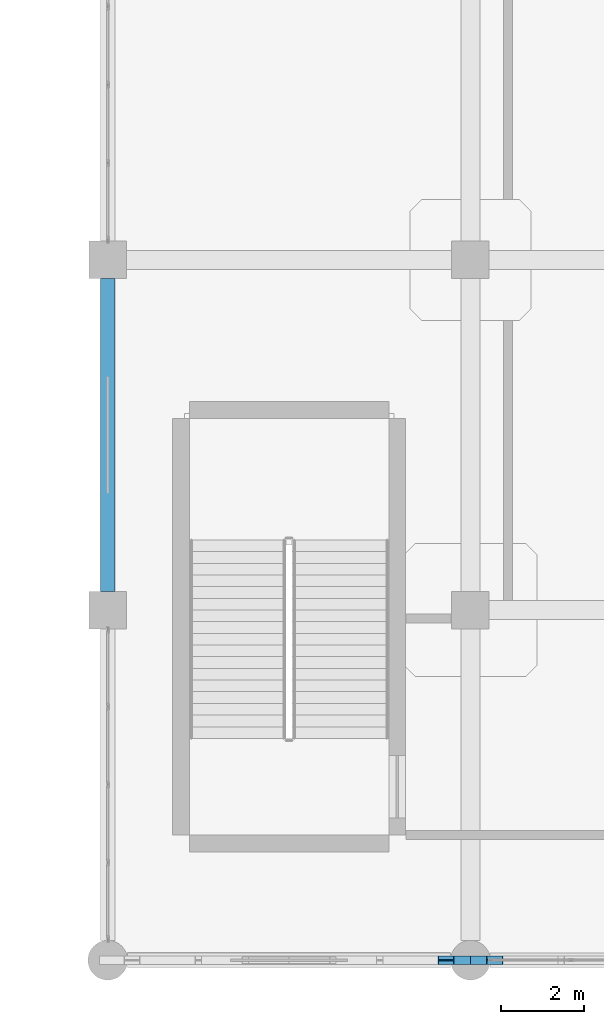
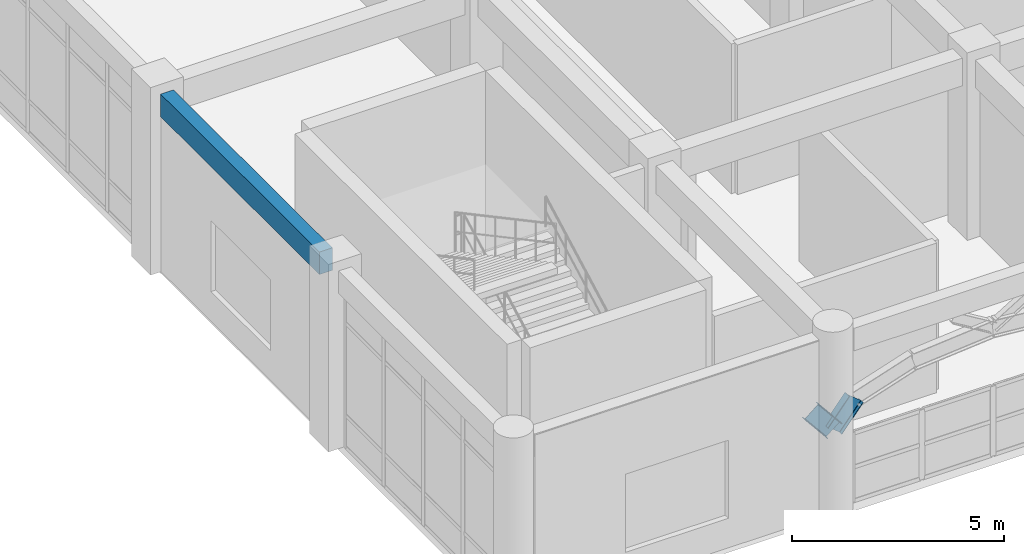
# One storey, part 27 of 114: 3 beams.
"""IFC4 building model written with IfcOpenShell, lengths in metres."""

from ifc_helpers import new_model, si_unit, derived_unit, direction, frame, origin, origin_2d, place, context, subcontext, project, spatial, rectangle, i_section, extrude, material, material_profile, profile_set, type_object, element, save


model = new_model("IFC4")

# Units and contexts
model_context = context("Model", 3, precision=1e-05, world=origin(), true_north=direction((0.0, 1.0)))
body_context = subcontext(model_context, "Body", "Model", "MODEL_VIEW")
ifc_project = project(units=[si_unit("LENGTHUNIT", "METRE"), si_unit("AREAUNIT", "SQUARE_METRE"), si_unit("VOLUMEUNIT", "CUBIC_METRE"), si_unit("PLANEANGLEUNIT", "RADIAN"), si_unit("MASSUNIT", "GRAM", prefix="KILO"), derived_unit("THERMALTRANSMITTANCEUNIT", [(si_unit("MASSUNIT", "GRAM", prefix="KILO"), 1), (si_unit("TIMEUNIT", "SECOND"), -3), (si_unit("THERMODYNAMICTEMPERATUREUNIT", "KELVIN"), -1)])], contexts=[model_context])

# Site, building, storey
site_placement = place(None, origin())
site = spatial("IfcSite", under=ifc_project, at=site_placement, CompositionType="ELEMENT")
building_placement = place(site_placement, origin())
building = spatial("IfcBuilding", under=site, at=building_placement, Name="Qinzheling Arcade Emporium", CompositionType="ELEMENT")
storey_placement = place(building_placement, frame((0.0, 0.0, 6.0)))
storey = spatial("IfcBuildingStorey", under=building, at=storey_placement, Name="L02", CompositionType="ELEMENT", Elevation=6.0)

# Beams
ifc_material_1 = material(Name="Weathering steel Q355NH", Category="steel")
ifc_material_profile_1 = material_profile(ifc_material_1, i_section(OverallWidth=0.199951171875, OverallDepth=0.5, WebThickness=0.010009765625, FlangeThickness=0.01611328125, FilletRadius=0.01806640625, at=origin_2d()), Name="HN 500x200x10x16", Category="steel")
ifc_profile_set_1 = profile_set([ifc_material_profile_1], Name="Weathering steel Q355NH")
beam_type_1 = type_object("IfcBeamType", Name="Arcade End Arch Rib HN500 Q355NH", PredefinedType="BEAM", material=ifc_profile_set_1)
for number, where, z_axis, x_axis, name in (
    (1, (112.51708984375, 0.0, 2.988037109375), (0.632934642244, 0.0, -0.774205230316), (0.0, 1.0, 0.0), "Street Entrance Arch ARC-L02-S06-C06"),
    (2, (113.10009765625, 0.0, 2.27490234375), (0.632934642244, 0.0, 0.774205230316), (0.0, 1.0, 0.0), "Street Entrance Arch ARC-L02-S07-C01"),
):
    element("IfcBeam", number, at=place(storey_placement, frame(where, z_axis=z_axis, x_axis=x_axis)), inside=storey, type_object=beam_type_1, Name=name, PredefinedType="BEAM", context=body_context, shape_type="SweptSolid", body=[
        extrude(i_section(OverallWidth=0.199951171875, OverallDepth=0.5, WebThickness=0.010009765625, FlangeThickness=0.01611328125, FilletRadius=0.01806640625, at=origin_2d()), origin(), (0.0, 0.0, 1.0), 0.921142578125),
    ])
ifc_material_2 = material(Name="Concrete C40", Category="concrete")
ifc_material_profile_2 = material_profile(ifc_material_2, rectangle(XDim=0.35009765625, YDim=0.64990234375, at=origin_2d()), Name="RC 350x650", Category="concrete")
ifc_profile_set_2 = profile_set([ifc_material_profile_2], Name="Concrete C40")
beam_type_2 = type_object("IfcBeamType", Name="RC Spandrel Edge Beam 350x650 C40", PredefinedType="SPANDREL", material=ifc_profile_set_2)
beam_placement = place(storey_placement, frame((104.39990234375, 8.85009765625, 4.794921875), z_axis=(0.0, 1.0, 0.0), x_axis=(-1.0, 0.0, 0.0)))
element("IfcBeam", 3, at=beam_placement, inside=storey, type_object=beam_type_2, Name="Beam BM-L02-Y-13-B", PredefinedType="SPANDREL", context=body_context, shape_type="SweptSolid", body=[
    extrude(rectangle(XDim=0.35009765625, YDim=0.64990234375, at=origin_2d()), origin(), (0.0, 0.0, 1.0), 7.5),
])

save(model, "model.ifc")
